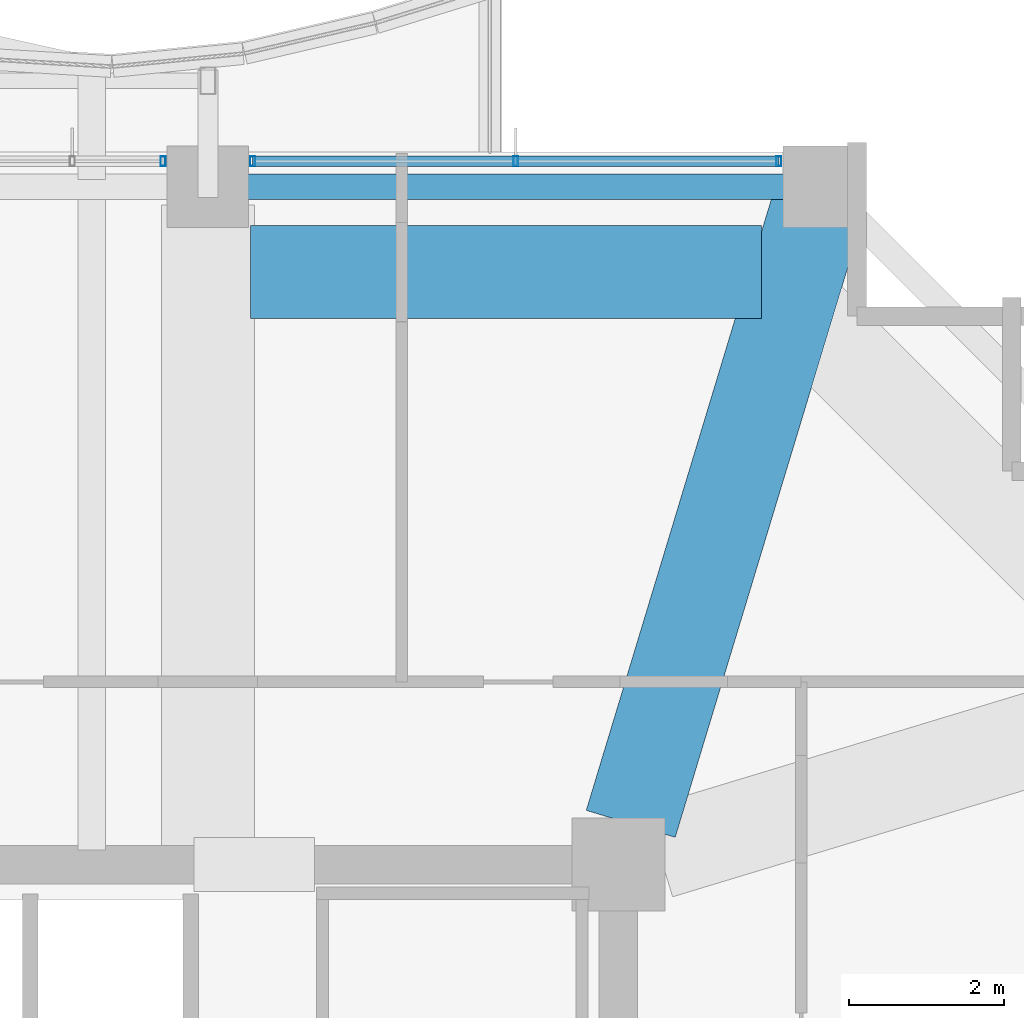
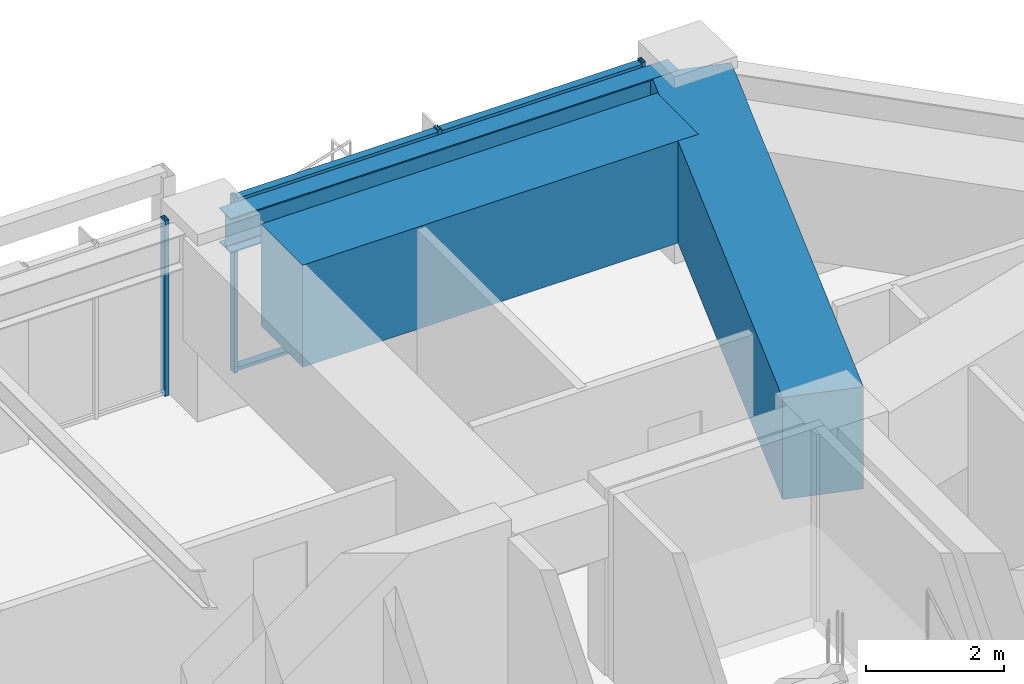
# One storey, part 17 of 28: 6 members, 3 beams, 2 elements without a shape of their own.
"""IFC4 building model written with IfcOpenShell, lengths in metres."""

import ifcopenshell
import ifcopenshell.guid

model = None  # the IFC model being written
_history = None  # IfcOwnerHistory: only IFC2X3 demands one
_inside = {}  # id of a spatial element -> (the spatial element, [elements in it])
_under = {}  # id of a project, library or spatial element -> (it, [spatial elements below it])
_declared = {}  # id of a project -> (the project, [libraries it declares])
_typed = {}  # id of a type object -> (the type object, [elements of that type])
_made_of = {}  # id of a material, layer set ... -> (it, [elements and type objects made of it])


def new_model(schema):
    """Start an empty IFC model of exactly this schema.

    Asked for "IFC4X3", IfcOpenShell would pick the latest addendum, in which some entities
    have other attributes; the version numbers below select the first issue.
    IFC2X3 requires an IfcOwnerHistory on every rooted entity: one is made here for all.
    """
    global model, _history
    if schema == "IFC4X3":
        model = ifcopenshell.file(schema_version=(4, 3, 0, 0))
    else:
        model = ifcopenshell.file(schema=schema)
    _inside.clear()
    _under.clear()
    _declared.clear()
    _typed.clear()
    _made_of.clear()
    _history = None
    if model.schema == "IFC2X3":
        org = make("IfcOrganization", Name="unknown")
        user = make(
            "IfcPersonAndOrganization",
            ThePerson=make("IfcPerson", FamilyName="unknown"),
            TheOrganization=org,
        )
        app = make(
            "IfcApplication",
            ApplicationDeveloper=org,
            Version="unknown",
            ApplicationFullName="unknown",
            ApplicationIdentifier="unknown",
        )
        _history = make(
            "IfcOwnerHistory",
            OwningUser=user,
            OwningApplication=app,
            ChangeAction="ADDED",
            CreationDate=0,
        )
    return model


def make(cls, **values):
    """One entity of the class cls with the attributes given. An attribute that is None is left unset."""
    return model.create_entity(
        cls, **{name: value for name, value in values.items() if value is not None}
    )


def rooted(cls, **values):
    """An entity with a GlobalId (a new one), such as an element, a storey or a relation."""
    return make(cls, GlobalId=ifcopenshell.guid.new(), OwnerHistory=_history, **values)


def si_unit(unit_type, name, prefix=None):
    """IfcSIUnit, for example si_unit("LENGTHUNIT", "METRE", prefix="MILLI")."""
    return make("IfcSIUnit", UnitType=unit_type, Prefix=prefix, Name=name)


def assignment(units):
    """IfcUnitAssignment: the units of a project."""
    return None if units is None else make("IfcUnitAssignment", Units=units)


def point(xyz):
    """IfcCartesianPoint."""
    return None if xyz is None else make("IfcCartesianPoint", Coordinates=xyz)


def direction(xyz):
    """IfcDirection."""
    return None if xyz is None else make("IfcDirection", DirectionRatios=xyz)


def frame(location, z_axis=None, x_axis=None):
    """IfcAxis2Placement3D, a coordinate frame: its origin and axes. An axis left out is left unset."""
    return make(
        "IfcAxis2Placement3D",
        Location=point(location),
        Axis=direction(z_axis),
        RefDirection=direction(x_axis),
    )


def frame_2d(location, x_axis=None):
    """IfcAxis2Placement2D, a coordinate frame in the plane: its origin and x axis."""
    return make(
        "IfcAxis2Placement2D", Location=point(location), RefDirection=direction(x_axis)
    )


def origin():
    """The frame at (0, 0, 0) with its axes left unset."""
    return frame((0.0, 0.0, 0.0))


def origin_2d():
    """The frame at (0, 0) in the plane with its x axis left unset."""
    return frame_2d((0.0, 0.0))


def place(relative_to, where):
    """IfcLocalPlacement: puts the frame where relative to a parent placement (None: the world)."""
    return make(
        "IfcLocalPlacement", PlacementRelTo=relative_to, RelativePlacement=where
    )


def context(
    kind, dimensions, precision=None, world=None, true_north=None, identifier=None
):
    """IfcGeometricRepresentationContext, for example the 3D "Model" context."""
    return make(
        "IfcGeometricRepresentationContext",
        ContextIdentifier=identifier,
        ContextType=kind,
        CoordinateSpaceDimension=dimensions,
        Precision=precision,
        WorldCoordinateSystem=world,
        TrueNorth=true_north,
    )


def subcontext(parent, identifier, kind, view, scale=None):
    """IfcGeometricRepresentationSubContext, for example "Body" below "Model"."""
    return make(
        "IfcGeometricRepresentationSubContext",
        ContextIdentifier=identifier,
        ContextType=kind,
        ParentContext=parent,
        TargetScale=scale,
        TargetView=view,
    )


def project(units=None, contexts=None):
    """IfcProject with its units and contexts."""
    return rooted(
        "IfcProject",
        Name="project",
        RepresentationContexts=contexts,
        UnitsInContext=assignment(units),
    )


def spatial(cls, under=None, at=None, **own):
    """A site, building, storey or space (cls), placed at a placement, below another one or the project."""
    s = rooted(cls, ObjectPlacement=at, **own)
    if under is not None:
        _under.setdefault(under.id(), (under, []))[1].append(s)
    return s


def profile(cls, at=None, kind="AREA", **sizes):
    """A parametric profile (cls). Its sizes go by their IFC names, for example OverallWidth=200.0."""
    return make(cls, ProfileType=kind, Position=at, **sizes)


def rectangle(**sizes):
    """IfcRectangleProfileDef."""
    return profile("IfcRectangleProfileDef", **sizes)


def hollow_rectangle(**sizes):
    """IfcRectangleHollowProfileDef."""
    return profile("IfcRectangleHollowProfileDef", **sizes)


def i_section(**sizes):
    """IfcIShapeProfileDef."""
    return profile("IfcIShapeProfileDef", **sizes)


def extrude(swept, where, along, depth):
    """IfcExtrudedAreaSolid: the profile swept, set in the frame where, extruded along a direction by depth."""
    return make(
        "IfcExtrudedAreaSolid",
        SweptArea=swept,
        Position=where,
        ExtrudedDirection=direction(along),
        Depth=depth,
    )


def shape(context_of_items, identifier, shape_type, items):
    """IfcShapeRepresentation: the items that make up one representation, for example the "Body"."""
    return make(
        "IfcShapeRepresentation",
        ContextOfItems=context_of_items,
        RepresentationIdentifier=identifier,
        RepresentationType=shape_type,
        Items=items,
    )


def material(Name=None, Category=None):
    """IfcMaterial."""
    return make("IfcMaterial", Name=Name, Category=Category)


def material_profile(
    of_material, cross_section, Name=None, Category=None, Priority=None
):
    """IfcMaterialProfile: a cross section and its material."""
    return make(
        "IfcMaterialProfile",
        Name=Name,
        Material=of_material,
        Profile=cross_section,
        Priority=Priority,
        Category=Category,
    )


def profile_set(profiles, Name=None, composite=None):
    """IfcMaterialProfileSet."""
    return make(
        "IfcMaterialProfileSet",
        Name=Name,
        MaterialProfiles=profiles,
        CompositeProfile=composite,
    )


def made_of(thing, what):
    """Note that an element or type object is made of a material, layer set ...; save() writes the relation."""
    if what is not None:
        _made_of.setdefault(what.id(), (what, []))[1].append(thing)
    return thing


def type_object(cls, material=None, **own):
    """A type object (cls), such as IfcWallType, which elements share."""
    return made_of(rooted(cls, **own), material)


def element(
    cls,
    number,
    at=None,
    inside=None,
    cuts=None,
    type_object=None,
    material=None,
    context=None,
    identifier="Body",
    shape_type=None,
    held_by="IfcProductDefinitionShape",
    body=None,
    shapes=None,
    **own,
):
    """One element of the class cls, such as IfcWall. Its Tag is "e" and its number.

    at: its placement. inside: the storey or other place that contains it. cuts: it is an
    opening in that element (IfcRelVoidsElement). A single representation is given by context,
    identifier, shape_type and body (its items); several are given by shapes. held_by: the class
    of the entity that holds the representations. save() writes the other relations.
    """
    e = rooted(cls, Tag="e%d" % number, ObjectPlacement=at, **own)
    if body is not None:
        shapes = [shape(context, identifier, shape_type, body)]
    if shapes is not None:
        e.Representation = make(held_by, Representations=shapes)
    if inside is not None:
        _inside.setdefault(inside.id(), (inside, []))[1].append(e)
    if cuts is not None:
        rooted(
            "IfcRelVoidsElement", RelatingBuildingElement=cuts, RelatedOpeningElement=e
        )
    if type_object is not None:
        _typed.setdefault(type_object.id(), (type_object, []))[1].append(e)
    return made_of(e, material)


def aggregate(whole, parts):
    """IfcRelAggregates: a whole, such as a stair, and the parts it consists of."""
    return rooted("IfcRelAggregates", RelatingObject=whole, RelatedObjects=parts)


def save(model, path):
    """Write the relations noted so far, then the file.

    IfcRelAggregates (storeys below a building ...), IfcRelContainedInSpatialStructure (elements
    in a storey), IfcRelDefinesByType, IfcRelAssociatesMaterial and IfcRelDeclares: one each for
    every whole, place, type object, material and project.
    """
    for whole, parts in _under.values():
        aggregate(whole, parts)
    for where, things in _inside.values():
        rooted(
            "IfcRelContainedInSpatialStructure",
            RelatedElements=things,
            RelatingStructure=where,
        )
    for kind, things in _typed.values():
        rooted("IfcRelDefinesByType", RelatedObjects=things, RelatingType=kind)
    for what, things in _made_of.values():
        rooted("IfcRelAssociatesMaterial", RelatedObjects=things, RelatingMaterial=what)
    for by, libraries in _declared.values():
        rooted("IfcRelDeclares", RelatingContext=by, RelatedDefinitions=libraries)
    model.write(path)


model = new_model("IFC4")

# Units and contexts
model_context = context("Model", 3, precision=1e-05, world=origin(), true_north=direction((0.0, 1.0)))
body_context = subcontext(model_context, "Body", "Model", "MODEL_VIEW")
ifc_project = project(units=[si_unit("LENGTHUNIT", "METRE"), si_unit("AREAUNIT", "SQUARE_METRE"), si_unit("VOLUMEUNIT", "CUBIC_METRE"), si_unit("PLANEANGLEUNIT", "RADIAN"), si_unit("MASSUNIT", "GRAM", prefix="KILO")], contexts=[model_context])

# Site, building, storey
site_placement = place(None, origin())
site = spatial("IfcSite", under=ifc_project, at=site_placement, CompositionType="ELEMENT")
building_placement = place(site_placement, origin())
building = spatial("IfcBuilding", under=site, at=building_placement, Name="Kolvaren Belvedere", CompositionType="ELEMENT")
storey_placement = place(building_placement, frame((0.0, 0.0, 125.0)))
storey = spatial("IfcBuildingStorey", under=building, at=storey_placement, Name="L36", CompositionType="ELEMENT", Elevation=125.0)

# Beams
ifc_material_1 = material(Name="Structural steel ASTM A992 Grade 50", Category="steel")
ifc_material_profile_1 = material_profile(ifc_material_1, i_section(OverallWidth=0.324951171875, OverallDepth=0.615966796875, WebThickness=0.013916015625, FlangeThickness=0.021484375, FilletRadius=0.02001953125, at=origin_2d()), Name="W24X117")
ifc_profile_set_1 = profile_set([ifc_material_profile_1], Name="Structural steel ASTM A992 Grade 50")
beam_type_1 = type_object("IfcBeamType", Name="BM-SPAN-W24X117", PredefinedType="SPANDREL", material=ifc_profile_set_1)
beam_1_placement = place(storey_placement, frame((12.313720703125, 18.64990234375, 2.7919921875), z_axis=(-1.0, 0.0, 0.0), x_axis=(0.0, -1.0, 0.0)))
element("IfcBeam", 1, at=beam_1_placement, inside=storey, type_object=beam_type_1, Name="L36 Perimeter Spandrel N4-N3", PredefinedType="SPANDREL", context=body_context, shape_type="SweptSolid", body=[
    extrude(i_section(OverallWidth=0.324951171875, OverallDepth=0.615966796875, WebThickness=0.013916015625, FlangeThickness=0.021484375, FilletRadius=0.02001953125, at=origin_2d()), origin(), (0.0, 0.0, 1.0), 7.4775390625),
])
ifc_material_2 = material(Name="Concrete C50/60", Category="concrete")
ifc_material_profile_2 = material_profile(ifc_material_2, rectangle(XDim=1.199951171875, YDim=1.800048828125, at=origin_2d()), Name="RC 1200X1800")
ifc_profile_set_2 = profile_set([ifc_material_profile_2], Name="Concrete C50/60")
beam_type_2 = type_object("IfcBeamType", Name="BM-TG-1800", PredefinedType="BEAM", material=ifc_profile_set_2)
beam_2_placement = place(storey_placement, frame((11.75, 17.550048828125, 2.199951171875), z_axis=(-1.0, 0.0, 0.0), x_axis=(0.0, -1.0, 0.0)))
element("IfcBeam", 2, at=beam_2_placement, inside=storey, type_object=beam_type_2, Name="L36 Step Transfer Ring Girder N4-N3", PredefinedType="BEAM", context=body_context, shape_type="SweptSolid", body=[
    extrude(rectangle(XDim=1.199951171875, YDim=1.800048828125, at=origin_2d()), origin(), (0.0, 0.0, 1.0), 6.60009765625),
])
beam_3_placement = place(storey_placement, frame((10.059326171875, 10.426513671875, 2.199951171875), z_axis=(0.289858652454, 0.957069465398, 0.0), x_axis=(-0.957069465398, 0.289858652454, 0.0)))
element("IfcBeam", 3, at=beam_3_placement, inside=storey, type_object=beam_type_2, Name="L36 Corner Core-to-Perimeter Girder CC3-N4", PredefinedType="BEAM", context=body_context, shape_type="SweptSolid", body=[
    extrude(rectangle(XDim=1.199951171875, YDim=1.800048828125, at=origin_2d()), origin(), (0.0, 0.0, 1.0), 8.38232421875),
])

# Curtain wall, member
ifc_material_3 = material(Name="Anodised pale-metal aluminium AA 6063-T6", Category="aluminium")
curtain_wall_type = type_object("IfcCurtainWallType", Name="CW-Z3-WAIST", PredefinedType="NOTDEFINED", material=ifc_material_3)
curtain_wall_1_placement = place(storey_placement, origin())
curtain_wall_1 = element("IfcCurtainWall", 4, at=curtain_wall_1_placement, inside=storey, type_object=curtain_wall_type, Name="L36 Unitised Curtain Wall FCW-L36-N2-B1", PredefinedType="NOTDEFINED")
ifc_material_4 = material(Name="Anodised pale-metal aluminium AA 6063-T6", Category="aluminium")
ifc_material_profile_3 = material_profile(ifc_material_4, hollow_rectangle(XDim=0.06494140625, YDim=0.1298828125, WallThickness=0.00390625, at=origin_2d()), Name="ALU-MUL-130X65")
ifc_profile_set_3 = profile_set([ifc_material_profile_3], Name="Anodised pale-metal aluminium AA 6063-T6")
member_type_1 = type_object("IfcMemberType", Name="CW-MUL-130", PredefinedType="MULLION", material=ifc_profile_set_3)
member_1_placement = place(storey_placement, frame((4.0224609375, 18.97998046875, 0.0), z_axis=(0.0, 0.0, 1.0), x_axis=(1.0, 0.0, 0.0)))
member_1 = element("IfcMember", 5, at=member_1_placement, type_object=member_type_1, Name="FCW-L36-N2-B1 Unitised Mullion 3", PredefinedType="MULLION", context=body_context, shape_type="SweptSolid", body=[
    extrude(hollow_rectangle(XDim=0.06494140625, YDim=0.1298828125, WallThickness=0.00390625, at=origin_2d()), origin(), (0.0, 0.0, 1.0), 3.10009765625),
])
aggregate(curtain_wall_1, [member_1])

# Curtain wall, members
curtain_wall_2_placement = place(storey_placement, origin())
curtain_wall_2 = element("IfcCurtainWall", 6, at=curtain_wall_2_placement, inside=storey, type_object=curtain_wall_type, Name="L36 Unitised Curtain Wall FCW-L36-N2-B2", PredefinedType="NOTDEFINED")
member_2_placement = place(storey_placement, frame((5.177490234375, 18.97998046875, 0.0), z_axis=(0.0, 0.0, 1.0), x_axis=(1.0, 0.0, 0.0)))
member_2 = element("IfcMember", 7, at=member_2_placement, type_object=member_type_1, Name="FCW-L36-N2-B2 Unitised Mullion 1", PredefinedType="MULLION", context=body_context, shape_type="SweptSolid", body=[
    extrude(hollow_rectangle(XDim=0.06494140625, YDim=0.1298828125, WallThickness=0.00390625, at=origin_2d()), origin(), (0.0, 0.0, 1.0), 3.10009765625),
])
member_3_placement = place(storey_placement, frame((8.574951171875, 18.97998046875, 0.0), z_axis=(0.0, 0.0, 1.0), x_axis=(1.0, 0.0, 0.0)))
member_3 = element("IfcMember", 8, at=member_3_placement, type_object=member_type_1, Name="FCW-L36-N2-B2 Unitised Mullion 2", PredefinedType="MULLION", context=body_context, shape_type="SweptSolid", body=[
    extrude(hollow_rectangle(XDim=0.06494140625, YDim=0.1298828125, WallThickness=0.00390625, at=origin_2d()), origin(), (0.0, 0.0, 1.0), 3.10009765625),
])
member_4_placement = place(storey_placement, frame((11.972412109375, 18.97998046875, 0.0), z_axis=(0.0, 0.0, 1.0), x_axis=(1.0, 0.0, 0.0)))
member_4 = element("IfcMember", 9, at=member_4_placement, type_object=member_type_1, Name="FCW-L36-N2-B2 Unitised Mullion 3", PredefinedType="MULLION", context=body_context, shape_type="SweptSolid", body=[
    extrude(hollow_rectangle(XDim=0.06494140625, YDim=0.1298828125, WallThickness=0.00390625, at=origin_2d()), origin(), (0.0, 0.0, 1.0), 3.10009765625),
])
ifc_material_5 = material(Name="Anodised pale-metal aluminium AA 6063-T6", Category="aluminium")
ifc_material_profile_4 = material_profile(ifc_material_5, hollow_rectangle(XDim=0.06005859375, YDim=0.1298828125, WallThickness=0.00390625, at=origin_2d()), Name="ALU-TRN-130X60")
ifc_profile_set_4 = profile_set([ifc_material_profile_4], Name="Anodised pale-metal aluminium AA 6063-T6")
member_type_2 = type_object("IfcMemberType", Name="CW-TRN-130", PredefinedType="USERDEFINED", material=ifc_profile_set_4)
member_5_placement = place(storey_placement, frame((5.177490234375, 18.97998046875, 0.06005859375), z_axis=(1.0, 0.0, 0.0), x_axis=(0.0, 0.0, 1.0)))
member_5 = element("IfcMember", 10, at=member_5_placement, type_object=member_type_2, Name="FCW-L36-N2-B2 Sill Transom", ObjectType="TRANSOM", PredefinedType="USERDEFINED", context=body_context, shape_type="SweptSolid", body=[
    extrude(hollow_rectangle(XDim=0.06005859375, YDim=0.1298828125, WallThickness=0.00390625, at=origin_2d()), origin(), (0.0, 0.0, 1.0), 6.794921875),
])
member_6_placement = place(storey_placement, frame((5.177490234375, 18.97998046875, 3.0400390625), z_axis=(1.0, 0.0, 0.0), x_axis=(0.0, 0.0, 1.0)))
member_6 = element("IfcMember", 11, at=member_6_placement, type_object=member_type_2, Name="FCW-L36-N2-B2 Head Transom", ObjectType="TRANSOM", PredefinedType="USERDEFINED", context=body_context, shape_type="SweptSolid", body=[
    extrude(hollow_rectangle(XDim=0.06005859375, YDim=0.1298828125, WallThickness=0.00390625, at=origin_2d()), origin(), (0.0, 0.0, 1.0), 6.794921875),
])
aggregate(curtain_wall_2, [member_2, member_3, member_4, member_5, member_6])

save(model, "model.ifc")
